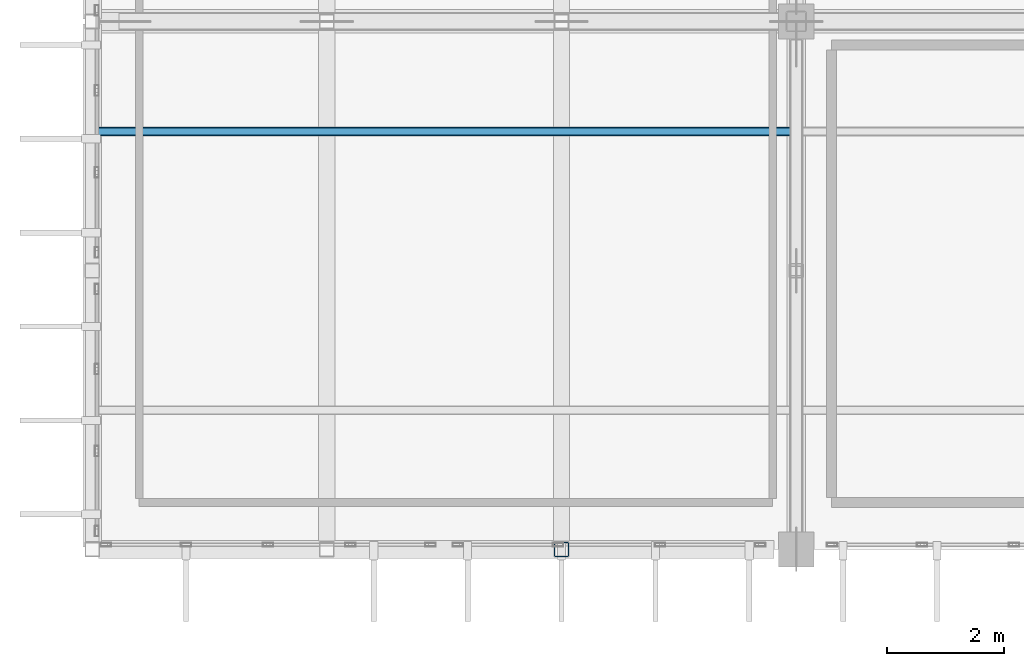
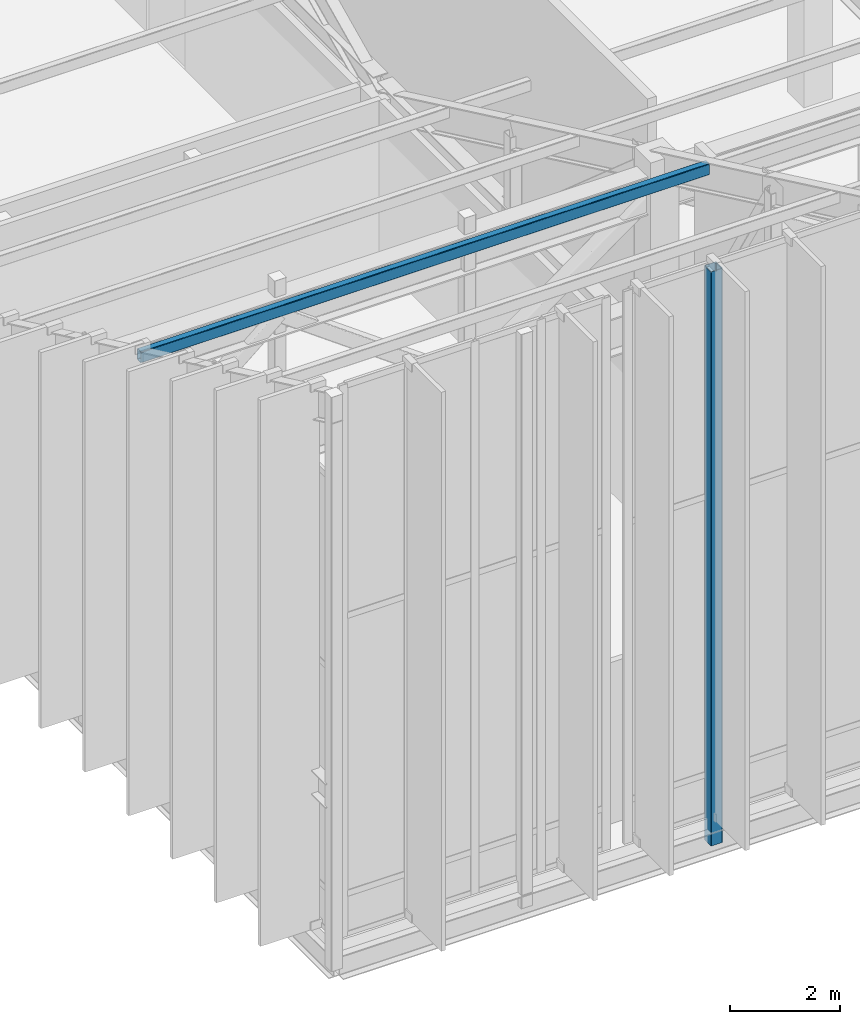
# One storey, part 6 of 68: 2 members.
"""IFC4 building model written with IfcOpenShell, lengths in metres."""

import ifcopenshell
import ifcopenshell.guid

model = None  # the IFC model being written
_history = None  # IfcOwnerHistory: only IFC2X3 demands one
_inside = {}  # id of a spatial element -> (the spatial element, [elements in it])
_under = {}  # id of a project, library or spatial element -> (it, [spatial elements below it])
_declared = {}  # id of a project -> (the project, [libraries it declares])
_typed = {}  # id of a type object -> (the type object, [elements of that type])
_made_of = {}  # id of a material, layer set ... -> (it, [elements and type objects made of it])


def new_model(schema):
    """Start an empty IFC model of exactly this schema.

    Asked for "IFC4X3", IfcOpenShell would pick the latest addendum, in which some entities
    have other attributes; the version numbers below select the first issue.
    IFC2X3 requires an IfcOwnerHistory on every rooted entity: one is made here for all.
    """
    global model, _history
    if schema == "IFC4X3":
        model = ifcopenshell.file(schema_version=(4, 3, 0, 0))
    else:
        model = ifcopenshell.file(schema=schema)
    _inside.clear()
    _under.clear()
    _declared.clear()
    _typed.clear()
    _made_of.clear()
    _history = None
    if model.schema == "IFC2X3":
        org = make("IfcOrganization", Name="unknown")
        user = make(
            "IfcPersonAndOrganization",
            ThePerson=make("IfcPerson", FamilyName="unknown"),
            TheOrganization=org,
        )
        app = make(
            "IfcApplication",
            ApplicationDeveloper=org,
            Version="unknown",
            ApplicationFullName="unknown",
            ApplicationIdentifier="unknown",
        )
        _history = make(
            "IfcOwnerHistory",
            OwningUser=user,
            OwningApplication=app,
            ChangeAction="ADDED",
            CreationDate=0,
        )
    return model


def make(cls, **values):
    """One entity of the class cls with the attributes given. An attribute that is None is left unset."""
    return model.create_entity(
        cls, **{name: value for name, value in values.items() if value is not None}
    )


def rooted(cls, **values):
    """An entity with a GlobalId (a new one), such as an element, a storey or a relation."""
    return make(cls, GlobalId=ifcopenshell.guid.new(), OwnerHistory=_history, **values)


def si_unit(unit_type, name, prefix=None):
    """IfcSIUnit, for example si_unit("LENGTHUNIT", "METRE", prefix="MILLI")."""
    return make("IfcSIUnit", UnitType=unit_type, Prefix=prefix, Name=name)


def assignment(units):
    """IfcUnitAssignment: the units of a project."""
    return None if units is None else make("IfcUnitAssignment", Units=units)


def point(xyz):
    """IfcCartesianPoint."""
    return None if xyz is None else make("IfcCartesianPoint", Coordinates=xyz)


def direction(xyz):
    """IfcDirection."""
    return None if xyz is None else make("IfcDirection", DirectionRatios=xyz)


def frame(location, z_axis=None, x_axis=None):
    """IfcAxis2Placement3D, a coordinate frame: its origin and axes. An axis left out is left unset."""
    return make(
        "IfcAxis2Placement3D",
        Location=point(location),
        Axis=direction(z_axis),
        RefDirection=direction(x_axis),
    )


def frame_2d(location, x_axis=None):
    """IfcAxis2Placement2D, a coordinate frame in the plane: its origin and x axis."""
    return make(
        "IfcAxis2Placement2D", Location=point(location), RefDirection=direction(x_axis)
    )


def origin():
    """The frame at (0, 0, 0) with its axes left unset."""
    return frame((0.0, 0.0, 0.0))


def origin_2d():
    """The frame at (0, 0) in the plane with its x axis left unset."""
    return frame_2d((0.0, 0.0))


def place(relative_to, where):
    """IfcLocalPlacement: puts the frame where relative to a parent placement (None: the world)."""
    return make(
        "IfcLocalPlacement", PlacementRelTo=relative_to, RelativePlacement=where
    )


def context(
    kind, dimensions, precision=None, world=None, true_north=None, identifier=None
):
    """IfcGeometricRepresentationContext, for example the 3D "Model" context."""
    return make(
        "IfcGeometricRepresentationContext",
        ContextIdentifier=identifier,
        ContextType=kind,
        CoordinateSpaceDimension=dimensions,
        Precision=precision,
        WorldCoordinateSystem=world,
        TrueNorth=true_north,
    )


def subcontext(parent, identifier, kind, view, scale=None):
    """IfcGeometricRepresentationSubContext, for example "Body" below "Model"."""
    return make(
        "IfcGeometricRepresentationSubContext",
        ContextIdentifier=identifier,
        ContextType=kind,
        ParentContext=parent,
        TargetScale=scale,
        TargetView=view,
    )


def project(units=None, contexts=None):
    """IfcProject with its units and contexts."""
    return rooted(
        "IfcProject",
        Name="project",
        RepresentationContexts=contexts,
        UnitsInContext=assignment(units),
    )


def spatial(cls, under=None, at=None, **own):
    """A site, building, storey or space (cls), placed at a placement, below another one or the project."""
    s = rooted(cls, ObjectPlacement=at, **own)
    if under is not None:
        _under.setdefault(under.id(), (under, []))[1].append(s)
    return s


def profile(cls, at=None, kind="AREA", **sizes):
    """A parametric profile (cls). Its sizes go by their IFC names, for example OverallWidth=200.0."""
    return make(cls, ProfileType=kind, Position=at, **sizes)


def hollow_rectangle(**sizes):
    """IfcRectangleHollowProfileDef."""
    return profile("IfcRectangleHollowProfileDef", **sizes)


def extrude(swept, where, along, depth):
    """IfcExtrudedAreaSolid: the profile swept, set in the frame where, extruded along a direction by depth."""
    return make(
        "IfcExtrudedAreaSolid",
        SweptArea=swept,
        Position=where,
        ExtrudedDirection=direction(along),
        Depth=depth,
    )


def shape(context_of_items, identifier, shape_type, items):
    """IfcShapeRepresentation: the items that make up one representation, for example the "Body"."""
    return make(
        "IfcShapeRepresentation",
        ContextOfItems=context_of_items,
        RepresentationIdentifier=identifier,
        RepresentationType=shape_type,
        Items=items,
    )


def material(Name=None, Category=None):
    """IfcMaterial."""
    return make("IfcMaterial", Name=Name, Category=Category)


def material_profile(
    of_material, cross_section, Name=None, Category=None, Priority=None
):
    """IfcMaterialProfile: a cross section and its material."""
    return make(
        "IfcMaterialProfile",
        Name=Name,
        Material=of_material,
        Profile=cross_section,
        Priority=Priority,
        Category=Category,
    )


def profile_set(profiles, Name=None, composite=None):
    """IfcMaterialProfileSet."""
    return make(
        "IfcMaterialProfileSet",
        Name=Name,
        MaterialProfiles=profiles,
        CompositeProfile=composite,
    )


def made_of(thing, what):
    """Note that an element or type object is made of a material, layer set ...; save() writes the relation."""
    if what is not None:
        _made_of.setdefault(what.id(), (what, []))[1].append(thing)
    return thing


def type_object(cls, material=None, **own):
    """A type object (cls), such as IfcWallType, which elements share."""
    return made_of(rooted(cls, **own), material)


def element(
    cls,
    number,
    at=None,
    inside=None,
    cuts=None,
    type_object=None,
    material=None,
    context=None,
    identifier="Body",
    shape_type=None,
    held_by="IfcProductDefinitionShape",
    body=None,
    shapes=None,
    **own,
):
    """One element of the class cls, such as IfcWall. Its Tag is "e" and its number.

    at: its placement. inside: the storey or other place that contains it. cuts: it is an
    opening in that element (IfcRelVoidsElement). A single representation is given by context,
    identifier, shape_type and body (its items); several are given by shapes. held_by: the class
    of the entity that holds the representations. save() writes the other relations.
    """
    e = rooted(cls, Tag="e%d" % number, ObjectPlacement=at, **own)
    if body is not None:
        shapes = [shape(context, identifier, shape_type, body)]
    if shapes is not None:
        e.Representation = make(held_by, Representations=shapes)
    if inside is not None:
        _inside.setdefault(inside.id(), (inside, []))[1].append(e)
    if cuts is not None:
        rooted(
            "IfcRelVoidsElement", RelatingBuildingElement=cuts, RelatedOpeningElement=e
        )
    if type_object is not None:
        _typed.setdefault(type_object.id(), (type_object, []))[1].append(e)
    return made_of(e, material)


def aggregate(whole, parts):
    """IfcRelAggregates: a whole, such as a stair, and the parts it consists of."""
    return rooted("IfcRelAggregates", RelatingObject=whole, RelatedObjects=parts)


def save(model, path):
    """Write the relations noted so far, then the file.

    IfcRelAggregates (storeys below a building ...), IfcRelContainedInSpatialStructure (elements
    in a storey), IfcRelDefinesByType, IfcRelAssociatesMaterial and IfcRelDeclares: one each for
    every whole, place, type object, material and project.
    """
    for whole, parts in _under.values():
        aggregate(whole, parts)
    for where, things in _inside.values():
        rooted(
            "IfcRelContainedInSpatialStructure",
            RelatedElements=things,
            RelatingStructure=where,
        )
    for kind, things in _typed.values():
        rooted("IfcRelDefinesByType", RelatedObjects=things, RelatingType=kind)
    for what, things in _made_of.values():
        rooted("IfcRelAssociatesMaterial", RelatedObjects=things, RelatingMaterial=what)
    for by, libraries in _declared.values():
        rooted("IfcRelDeclares", RelatingContext=by, RelatedDefinitions=libraries)
    model.write(path)


model = new_model("IFC4")

# Units and contexts
model_context = context("Model", 3, precision=1e-05, world=origin(), true_north=direction((0.0, 1.0)))
body_context = subcontext(model_context, "Body", "Model", "MODEL_VIEW")
ifc_project = project(units=[si_unit("LENGTHUNIT", "METRE"), si_unit("AREAUNIT", "SQUARE_METRE"), si_unit("VOLUMEUNIT", "CUBIC_METRE"), si_unit("PLANEANGLEUNIT", "RADIAN"), si_unit("MASSUNIT", "GRAM", prefix="KILO")], contexts=[model_context])

# Site, building, storey
site_placement = place(None, origin())
site = spatial("IfcSite", under=ifc_project, at=site_placement, CompositionType="ELEMENT")
building_placement = place(site_placement, origin())
building = spatial("IfcBuilding", under=site, at=building_placement, Name="Miravela Opera House", CompositionType="ELEMENT")
storey_placement = place(building_placement, frame((0.0, 0.0, 21.760009765625)))
storey = spatial("IfcBuildingStorey", under=building, at=storey_placement, Name="L05", CompositionType="ELEMENT", Elevation=21.760009765625)

# Members
ifc_material = material(Name="Hollow structural steel ASTM A500 Gr. C", Category="steel")
ifc_material_profile_1 = material_profile(ifc_material, hollow_rectangle(XDim=0.25, YDim=0.25, WallThickness=0.011962890625, InnerFilletRadius=0.011962890625, OuterFilletRadius=0.02392578125, at=origin_2d()), Name="HSS250X250X12")
ifc_profile_set_1 = profile_set([ifc_material_profile_1])
member_type_1 = type_object("IfcMemberType", Name="STR-MEM-CANT-POST2", PredefinedType="POST", material=ifc_profile_set_1)
member_1_placement = place(storey_placement, frame((23.0, 37.0, -0.5400390625), z_axis=(0.0, 0.0, 1.0), x_axis=(1.0, 0.0, 0.0)))
element("IfcMember", 1, at=member_1_placement, inside=storey, type_object=member_type_1, Name="Upper Wrapper Truss Post L05 X=23.0", PredefinedType="POST", context=body_context, shape_type="SweptSolid", body=[
    extrude(hollow_rectangle(XDim=0.25, YDim=0.25, WallThickness=0.011962890625, InnerFilletRadius=0.011962890625, OuterFilletRadius=0.02392578125, at=origin_2d()), origin(), (0.0, 0.0, 1.0), 12.7900390625),
])
ifc_material_profile_2 = material_profile(ifc_material, hollow_rectangle(XDim=0.14990234375, YDim=0.25, WallThickness=0.011962890625, InnerFilletRadius=0.011962890625, OuterFilletRadius=0.02392578125, at=origin_2d()), Name="HSS250X150X12")
ifc_profile_set_2 = profile_set([ifc_material_profile_2])
member_type_2 = type_object("IfcMemberType", Name="STR-MEM-PURLIN-1", PredefinedType="PURLIN", material=ifc_profile_set_2)
member_2_placement = place(storey_placement, frame((15.010009765625, 44.125, 8.744873046875), z_axis=(1.0, 0.0, 0.0), x_axis=(0.0, 1.0, 0.0)))
element("IfcMember", 2, at=member_2_placement, inside=storey, type_object=member_type_2, Name="V-Roof Steel Purlin B2.1", PredefinedType="PURLIN", context=body_context, shape_type="SweptSolid", body=[
    extrude(hollow_rectangle(XDim=0.14990234375, YDim=0.25, WallThickness=0.011962890625, InnerFilletRadius=0.011962890625, OuterFilletRadius=0.02392578125, at=origin_2d()), origin(), (0.0, 0.0, 1.0), 11.97998046875),
])

save(model, "model.ifc")
